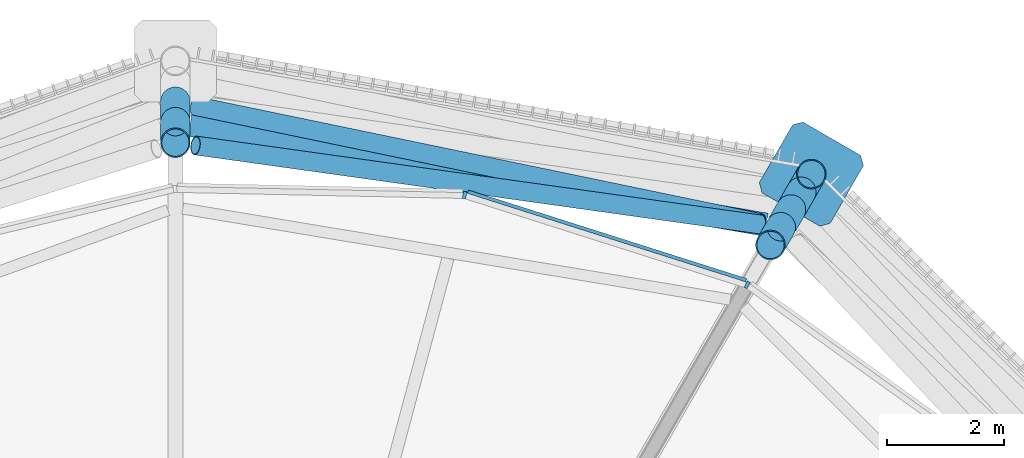
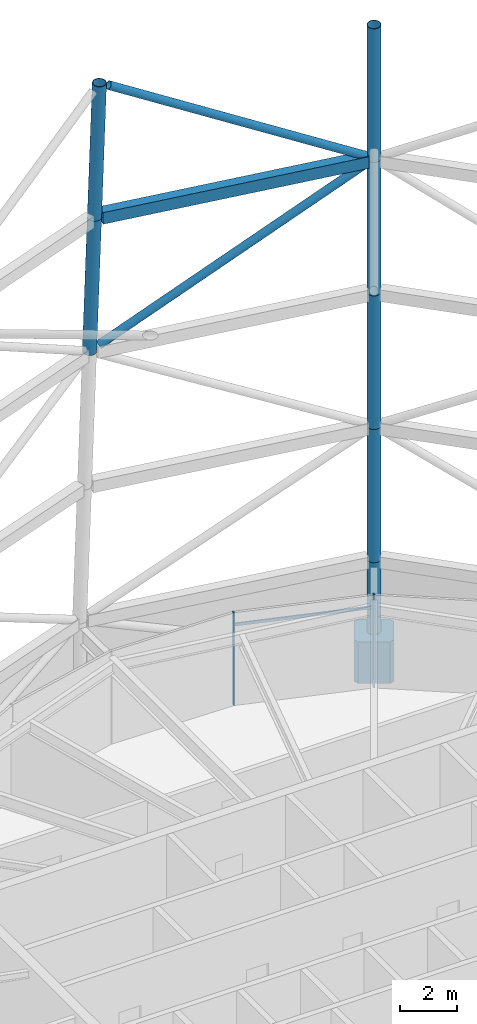
# One storey, part 59 of 71: 13 members, 1 beam, 1 element without a shape of its own.
"""IFC4 building model written with IfcOpenShell, lengths in metres."""

from ifc_helpers import new_model, si_unit, direction, frame, origin, origin_2d, place, context, subcontext, project, spatial, polyline, rectangle, hollow_rectangle, hollow_circle, outline, extrude, material, material_profile, profile_set, type_object, element, aggregate, save


model = new_model("IFC4")

# Units and contexts
model_context = context("Model", 3, precision=1e-05, world=origin(), true_north=direction((0.0, 1.0)))
body_context = subcontext(model_context, "Body", "Model", "MODEL_VIEW")
ifc_project = project(units=[si_unit("LENGTHUNIT", "METRE"), si_unit("AREAUNIT", "SQUARE_METRE"), si_unit("VOLUMEUNIT", "CUBIC_METRE"), si_unit("PLANEANGLEUNIT", "RADIAN"), si_unit("MASSUNIT", "GRAM", prefix="KILO")], contexts=[model_context])

# Site, building, storey
site_placement = place(None, origin())
site = spatial("IfcSite", under=ifc_project, at=site_placement, CompositionType="ELEMENT")
building_placement = place(site_placement, origin())
building = spatial("IfcBuilding", under=site, at=building_placement, Name="Rimbun Link Towers", CompositionType="ELEMENT")
storey_placement = place(building_placement, frame((0.0, 0.0, 267.60009765625)))
storey = spatial("IfcBuildingStorey", under=building, at=storey_placement, Name="L65", CompositionType="ELEMENT", Elevation=267.60009765625)

# Curtain wall, members
ifc_material_1 = material(Name="Aluminium 6063-T6 louvre wall", Category="aluminium")
curtain_wall_type = type_object("IfcCurtainWallType", Name="CW6 plant floor louvre wall", PredefinedType="NOTDEFINED", material=ifc_material_1)
curtain_wall_placement = place(storey_placement, origin())
curtain_wall = element("IfcCurtainWall", 1, at=curtain_wall_placement, inside=storey, type_object=curtain_wall_type, Name="CW6 L65 T2", PredefinedType="NOTDEFINED")
ifc_material_2 = material(Name="Aluminium 6063-T6", Category="aluminium")
ifc_material_profile_1 = material_profile(ifc_material_2, rectangle(XDim=0.1201171875, YDim=0.06005859375, at=origin_2d()), Name="MULLION 60X120")
ifc_profile_set_1 = profile_set([ifc_material_profile_1], Name="Aluminium 6063-T6")
member_type_1 = type_object("IfcMemberType", Name="CW6 mullion 60X120", PredefinedType="MULLION", material=ifc_profile_set_1)
member_1_placement = place(storey_placement, frame((41.536376953125, 16.95751953125, 0.0), z_axis=(0.0, 0.0, 1.0), x_axis=(0.448562969651, 0.893751230633, 0.0)))
member_1 = element("IfcMember", 2, at=member_1_placement, type_object=member_type_1, Name="CW6 mullion", PredefinedType="MULLION", context=body_context, shape_type="SweptSolid", body=[
    extrude(rectangle(XDim=0.1201171875, YDim=0.06005859375, at=origin_2d()), origin(), (0.0, 0.0, 1.0), 4.0),
])
member_2_placement = place(storey_placement, frame((36.69970703125, 18.49560546875, 0.0), z_axis=(0.0, 0.0, 1.0), x_axis=(0.163740964052, 0.986503368819, 0.0)))
member_2 = element("IfcMember", 3, at=member_2_placement, type_object=member_type_1, Name="CW6 mullion", PredefinedType="MULLION", context=body_context, shape_type="SweptSolid", body=[
    extrude(rectangle(XDim=0.1201171875, YDim=0.06005859375, at=origin_2d()), origin(), (0.0, 0.0, 1.0), 4.0),
])
ifc_material_3 = material(Name="Aluminium 6063-T6", Category="aluminium")
ifc_material_profile_2 = material_profile(ifc_material_3, rectangle(XDim=0.06005859375, YDim=0.1201171875, at=origin_2d()), Name="TRANSOM 60X120")
ifc_profile_set_2 = profile_set([ifc_material_profile_2], Name="Aluminium 6063-T6")
member_type_2 = type_object("IfcMemberType", Name="CW6 transom 60X120", PredefinedType="USERDEFINED", material=ifc_profile_set_2)
member_3_placement = place(storey_placement, frame((36.758056640625, 18.55126953125, 3.39990234375), z_axis=(0.952974531484, -0.303050395714, 0.0), x_axis=(0.303050395714, 0.952974531484, 0.0)))
member_3 = element("IfcMember", 4, at=member_3_placement, type_object=member_type_2, Name="CW6 transom", ObjectType="TRANSOM", PredefinedType="USERDEFINED", context=body_context, shape_type="SweptSolid", body=[
    extrude(rectangle(XDim=0.06005859375, YDim=0.1201171875, at=origin_2d()), origin(), (0.0, 0.0, 1.0), 4.997314453125),
])
aggregate(curtain_wall, [member_1, member_2, member_3])

# Members
ifc_material_4 = material(Name="Steel S355J2H", Category="steel")
ifc_material_profile_3 = material_profile(ifc_material_4, hollow_circle(Radius=0.161865234375, WallThickness=0.011962890625, at=origin_2d()), Name="Crown frame brace CHS 324x12")
ifc_profile_set_3 = profile_set([ifc_material_profile_3], Name="Steel S355J2H")
member_type_3 = type_object("IfcMemberType", Name="Crown frame brace CHS 324x12", PredefinedType="BRACE", material=ifc_profile_set_3)
member_4_placement = place(storey_placement, frame((32.0908203125, 20.02001953125, 16.197265625), z_axis=(0.85174452733, -0.176575679867, 0.493307499886), x_axis=(0.202994385372, 0.979179901503, 0.0)))
element("IfcMember", 5, at=member_4_placement, inside=storey, type_object=member_type_3, Name="CROWN FRAME brace T2 4-00", PredefinedType="BRACE", context=body_context, shape_type="SweptSolid", body=[
    extrude(hollow_circle(Radius=0.161865234375, WallThickness=0.011962890625, at=origin_2d()), origin(), (0.0, 0.0, 1.0), 11.362548828125),
])
member_5_placement = place(storey_placement, frame((41.765869140625, 17.990966796875, 22.198974609375), z_axis=(-0.859090258531, 0.120044516917, 0.497547225554), x_axis=(-0.138389914338, -0.990377822656, 0.0)))
element("IfcMember", 6, at=member_5_placement, inside=storey, type_object=member_type_3, Name="CROWN FRAME brace T2 5-00", PredefinedType="BRACE", context=body_context, shape_type="SweptSolid", body=[
    extrude(hollow_circle(Radius=0.161865234375, WallThickness=0.011962890625, at=origin_2d()), origin(), (0.0, 0.0, 1.0), 11.2587890625),
])
ifc_material_5 = material(Name="Steel S355J2H", Category="steel")
ifc_material_profile_4 = material_profile(ifc_material_5, hollow_circle(Radius=0.25390625, WallThickness=0.02001953125, at=origin_2d()), Name="Crown frame post CHS 508x20")
ifc_profile_set_4 = profile_set([ifc_material_profile_4], Name="Steel S355J2H")
member_type_4 = type_object("IfcMemberType", Name="Crown frame post CHS 508x20", PredefinedType="POST", material=ifc_profile_set_4)
member_6_placement = place(storey_placement, frame((42.634521484375, 18.852294921875, 0.0), z_axis=(0.0, 0.0, 1.0), x_axis=(1.0, 0.0, 0.0)))
element("IfcMember", 7, at=member_6_placement, inside=storey, type_object=member_type_4, Name="CROWN FRAME post T2 1-00", PredefinedType="POST", context=body_context, shape_type="SweptSolid", body=[
    extrude(hollow_circle(Radius=0.25390625, WallThickness=0.02001953125, at=origin_2d()), origin(), (0.0, 0.0, 1.0), 4.0),
])
for number, where, z_axis, x_axis, name in (
    (8, (42.634521484375, 18.852294921875, 4.0), (-0.029125318286, -0.050410767075, 0.998303796646), (0.865871789474, -0.500265973451, 0.0), "CROWN FRAME post T2 2-00"),
    (9, (42.45947265625, 18.54931640625, 10.0), (-0.029125258621, -0.050451284808, 0.998301751562), (0.866046247233, -0.49996389635, 0.0), "CROWN FRAME post T2 3-00"),
    (10, (42.284423828125, 18.24609375, 16.0), (-0.029125318286, -0.050410767075, 0.998303796646), (0.865871789474, -0.500265973451, 0.0), "CROWN FRAME post T2 4-00"),
    (11, (31.75, 20.090576171875, 16.0), (0.0, -0.058250531515, 0.998301996181), (1.0, 0.0, 0.0), "CROWN FRAME post T2 4-01"),
    (12, (42.109375, 17.943115234375, 22.0), (-0.029125258621, -0.050451284808, 0.998301751562), (0.866046247233, -0.49996389635, 0.0), "CROWN FRAME post T2 5-00"),
    (13, (31.75, 19.740478515625, 22.0), (0.0, -0.058250531515, 0.998301996181), (1.0, 0.0, 0.0), "CROWN FRAME post T2 5-01"),
):
    element("IfcMember", number, at=place(storey_placement, frame(where, z_axis=z_axis, x_axis=x_axis)), inside=storey, type_object=member_type_4, Name=name, PredefinedType="POST", context=body_context, shape_type="SweptSolid", body=[
        extrude(hollow_circle(Radius=0.25390625, WallThickness=0.02001953125, at=origin_2d()), origin(), (0.0, 0.0, 1.0), 6.01025390625),
    ])

# Beam
ifc_material_6 = material(Name="Steel S355J2", Category="steel")
ifc_material_profile_5 = material_profile(ifc_material_6, hollow_rectangle(XDim=0.39990234375, YDim=0.5, WallThickness=0.02001953125, at=origin_2d()), Name="Crown frame ring beam BOX 400x500x20")
ifc_profile_set_5 = profile_set([ifc_material_profile_5], Name="Steel S355J2")
beam_type = type_object("IfcBeamType", Name="Crown frame ring beam BOX 400x500x20", PredefinedType="BEAM", material=ifc_profile_set_5)
beam_placement = place(storey_placement, frame((41.859130859375, 17.986328125, 22.0), z_axis=(-0.985277402755, 0.170963269801, 0.0), x_axis=(-0.170963269801, -0.985277402755, 0.0)))
element("IfcBeam", 14, at=beam_placement, inside=storey, type_object=beam_type, Name="CROWN FRAME ring beam T2 4-00", PredefinedType="BEAM", context=body_context, shape_type="SweptSolid", body=[
    extrude(hollow_rectangle(XDim=0.39990234375, YDim=0.5, WallThickness=0.02001953125, at=origin_2d()), origin(), (0.0, 0.0, 1.0), 10.006103515625),
])

# Member
ifc_material_7 = material(Name="Cast steel G20Mn5+QT, Rp0.2 300 MPa", Category="steel")
ifc_material_profile_6 = material_profile(ifc_material_7, outline(polyline([(0.699951171875, -0.570068359375), (0.699951171875, 0.570068359375), (0.570068359375, 0.699951171875), (-0.570068359375, 0.699951171875), (-0.699951171875, 0.570068359375), (-0.699951171875, -0.570068359375), (-0.570068359375, -0.699951171875), (0.570068359375, -0.699951171875), (0.699951171875, -0.570068359375)])), Name="NODE 1400x1400")
ifc_profile_set_6 = profile_set([ifc_material_profile_6], Name="Cast steel G20Mn5+QT, Rp0.2 300 MPa")
member_type_5 = type_object("IfcMemberType", Name="Diagrid node cast 1400", PredefinedType="USERDEFINED", material=ifc_profile_set_6)
member_7_placement = place(storey_placement, frame((42.634521484375, 18.852294921875, -0.900146484375), z_axis=(0.0, 0.0, 1.0), x_axis=(0.5, 0.866025403784, 0.0)))
element("IfcMember", 15, at=member_7_placement, inside=storey, type_object=member_type_5, Name="Diagrid node L65 01", ObjectType="Diagrid node", PredefinedType="USERDEFINED", context=body_context, shape_type="SweptSolid", body=[
    extrude(outline(polyline([(0.699951171875, -0.570068359375), (0.699951171875, 0.570068359375), (0.570068359375, 0.699951171875), (-0.570068359375, 0.699951171875), (-0.699951171875, 0.570068359375), (-0.699951171875, -0.570068359375), (-0.570068359375, -0.699951171875), (0.570068359375, -0.699951171875), (0.699951171875, -0.570068359375)])), origin(), (0.0, 0.0, 1.0), 1.800048828125),
])

save(model, "model.ifc")
